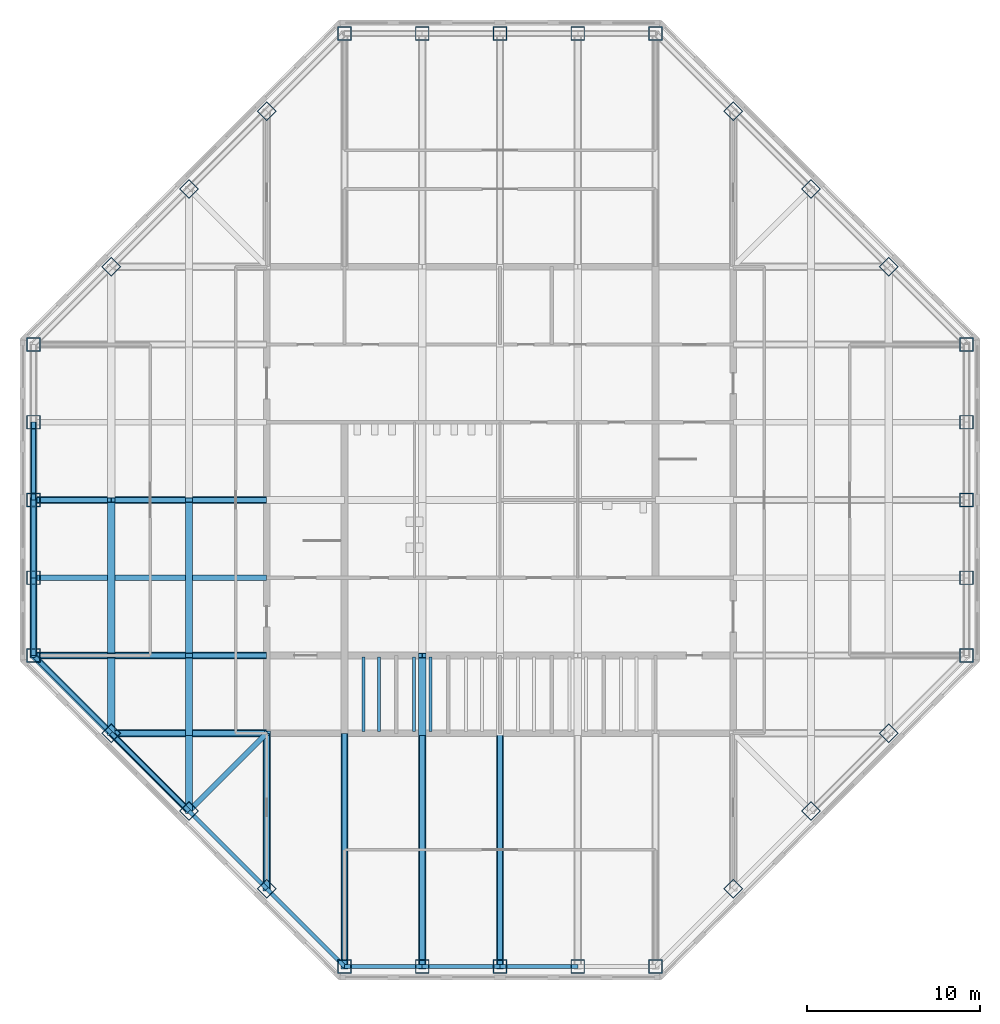
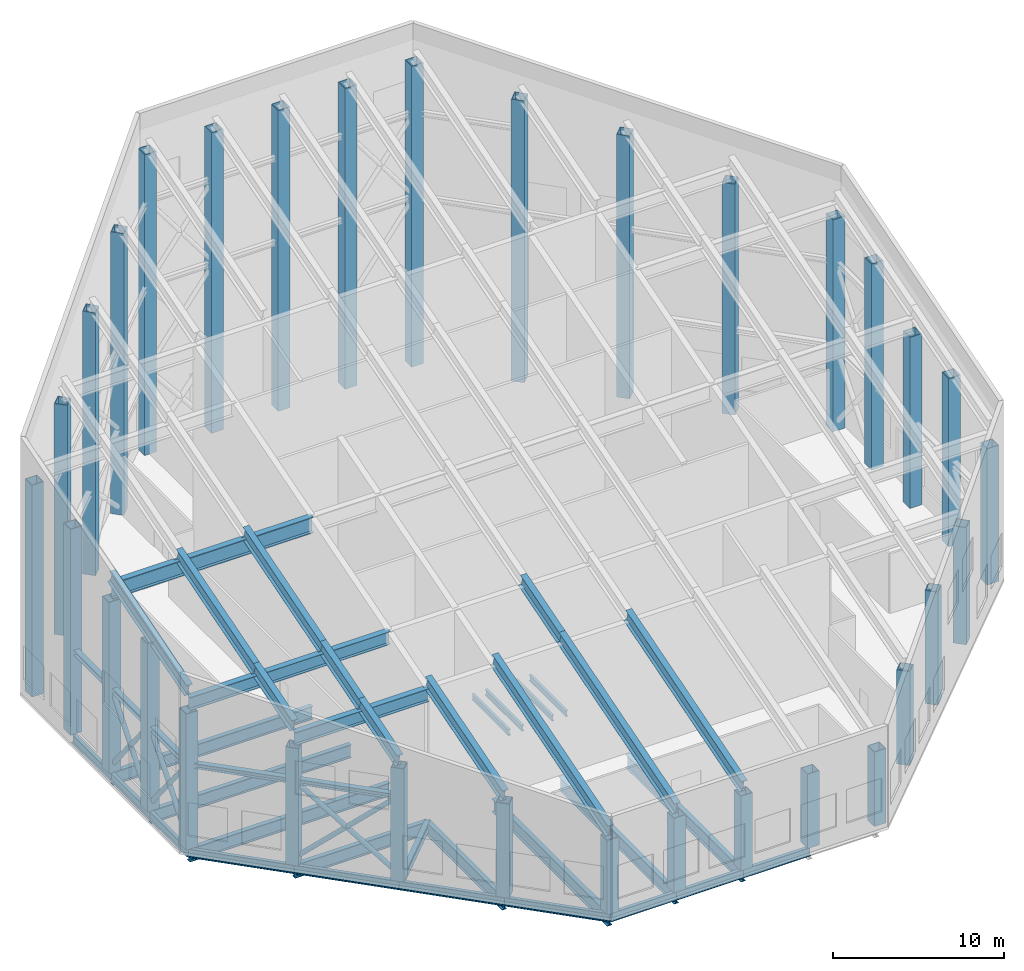
# One storey, part 1 of 10: 42 beams, 32 columns, 6 members.
"""IFC4 building model written with IfcOpenShell, lengths in metres."""

from ifc_helpers import new_model, si_unit, direction, frame, origin, origin_2d, place, context, subcontext, project, spatial, hollow_rectangle, hollow_circle, i_section, extrude, material, material_profile, profile_set, type_object, element, save


model = new_model("IFC4")

# Units and contexts
model_context = context("Model", 3, precision=1e-05, world=origin(), true_north=direction((0.0, 1.0)))
body_context = subcontext(model_context, "Body", "Model", "MODEL_VIEW")
ifc_project = project(units=[si_unit("LENGTHUNIT", "METRE"), si_unit("AREAUNIT", "SQUARE_METRE"), si_unit("VOLUMEUNIT", "CUBIC_METRE"), si_unit("PLANEANGLEUNIT", "RADIAN"), si_unit("MASSUNIT", "GRAM", prefix="KILO")], contexts=[model_context])

# Site, building, storey
site_placement = place(None, origin())
site = spatial("IfcSite", under=ifc_project, at=site_placement, CompositionType="ELEMENT")
building_placement = place(site_placement, origin())
building = spatial("IfcBuilding", under=site, at=building_placement, Name="Corais Broadcast Tower", CompositionType="ELEMENT")
storey_placement = place(building_placement, frame((0.0, 0.0, 320.10009765625)))
storey = spatial("IfcBuildingStorey", under=building, at=storey_placement, Name="L75", CompositionType="ELEMENT", Elevation=320.10009765625)

# Columns
ifc_material_1 = material(Name="Steel ASTM A572 Grade 50", Category="steel")
ifc_material_profile_1 = material_profile(ifc_material_1, hollow_rectangle(XDim=0.800048828125, YDim=0.800048828125, WallThickness=0.044921875, at=origin_2d()), Name="BOX 800x800x45")
ifc_profile_set_1 = profile_set([ifc_material_profile_1], Name="Steel ASTM A572 Grade 50")
column_type = type_object("IfcColumnType", Name="Column BOX 800x800x45", PredefinedType="COLUMN", material=ifc_profile_set_1)
for number, where, z_axis, x_axis, name in (
    (1, (18.0, 0.0, 0.0), (0.0, 0.0, 1.0), (1.0, 0.0, 0.0), "C3 A/7"),
    (2, (22.5, 0.0, 0.0), (0.0, 0.0, 1.0), (1.0, 0.0, 0.0), "C3 A/8"),
    (3, (27.0, 0.0, 0.0), (0.0, 0.0, 1.0), (1.0, 0.0, 0.0), "C3 A/9"),
    (4, (31.5, 0.0, 0.0), (0.0, 0.0, 1.0), (1.0, 0.0, 0.0), "C3 A/10"),
    (5, (36.0, 0.0, 0.0), (0.0, 0.0, 1.0), (1.0, 0.0, 0.0), "C3 A/11"),
):
    element("IfcColumn", number, at=place(storey_placement, frame(where, z_axis=z_axis, x_axis=x_axis)), inside=storey, type_object=column_type, Name=name, PredefinedType="COLUMN", context=body_context, shape_type="SweptSolid", body=[
        extrude(hollow_rectangle(XDim=0.800048828125, YDim=0.800048828125, WallThickness=0.044921875, at=origin_2d()), origin(), (0.0, 0.0, 1.0), 5.30712890625),
    ])
column_1_placement = place(storey_placement, frame((54.0, 18.0, 0.0), z_axis=(0.0, 0.0, 1.0), x_axis=(1.0, 0.0, 0.0)))
element("IfcColumn", 6, at=column_1_placement, inside=storey, type_object=column_type, Name="C3 E/15", PredefinedType="COLUMN", context=body_context, shape_type="SweptSolid", body=[
    extrude(hollow_rectangle(XDim=0.800048828125, YDim=0.800048828125, WallThickness=0.044921875, at=origin_2d()), origin(), (0.0, 0.0, 1.0), 9.699951171875),
])
column_2_placement = place(storey_placement, frame((54.0, 22.5, 0.0), z_axis=(0.0, 0.0, 1.0), x_axis=(1.0, 0.0, 0.0)))
element("IfcColumn", 7, at=column_2_placement, inside=storey, type_object=column_type, Name="C3 F/15", PredefinedType="COLUMN", context=body_context, shape_type="SweptSolid", body=[
    extrude(hollow_rectangle(XDim=0.800048828125, YDim=0.800048828125, WallThickness=0.044921875, at=origin_2d()), origin(), (0.0, 0.0, 1.0), 11.97705078125),
])
column_3_placement = place(storey_placement, frame((54.0, 27.0, 0.0), z_axis=(0.0, 0.0, 1.0), x_axis=(1.0, 0.0, 0.0)))
element("IfcColumn", 8, at=column_3_placement, inside=storey, type_object=column_type, Name="C3 G/15", PredefinedType="COLUMN", context=body_context, shape_type="SweptSolid", body=[
    extrude(hollow_rectangle(XDim=0.800048828125, YDim=0.800048828125, WallThickness=0.044921875, at=origin_2d()), origin(), (0.0, 0.0, 1.0), 12.18896484375),
])
column_4_placement = place(storey_placement, frame((54.0, 31.5, 0.0), z_axis=(0.0, 0.0, 1.0), x_axis=(1.0, 0.0, 0.0)))
element("IfcColumn", 9, at=column_4_placement, inside=storey, type_object=column_type, Name="C3 H/15", PredefinedType="COLUMN", context=body_context, shape_type="SweptSolid", body=[
    extrude(hollow_rectangle(XDim=0.800048828125, YDim=0.800048828125, WallThickness=0.044921875, at=origin_2d()), origin(), (0.0, 0.0, 1.0), 14.677001953125),
])
column_5_placement = place(storey_placement, frame((54.0, 36.0, 0.0), z_axis=(0.0, 0.0, 1.0), x_axis=(1.0, 0.0, 0.0)))
element("IfcColumn", 10, at=column_5_placement, inside=storey, type_object=column_type, Name="C3 J/15", PredefinedType="COLUMN", context=body_context, shape_type="SweptSolid", body=[
    extrude(hollow_rectangle(XDim=0.800048828125, YDim=0.800048828125, WallThickness=0.044921875, at=origin_2d()), origin(), (0.0, 0.0, 1.0), 15.10009765625),
])
for number, where, z_axis, x_axis, name in (
    (11, (36.0, 54.0, 0.0), (0.0, 0.0, 1.0), (1.0, 0.0, 0.0), "C3 N/11"),
    (12, (31.5, 54.0, 0.0), (0.0, 0.0, 1.0), (1.0, 0.0, 0.0), "C3 N/10"),
    (13, (27.0, 54.0, 0.0), (0.0, 0.0, 1.0), (1.0, 0.0, 0.0), "C3 N/9"),
    (14, (22.5, 54.0, 0.0), (0.0, 0.0, 1.0), (1.0, 0.0, 0.0), "C3 N/8"),
    (15, (18.0, 54.0, 0.0), (0.0, 0.0, 1.0), (1.0, 0.0, 0.0), "C3 N/7"),
):
    element("IfcColumn", number, at=place(storey_placement, frame(where, z_axis=z_axis, x_axis=x_axis)), inside=storey, type_object=column_type, Name=name, PredefinedType="COLUMN", context=body_context, shape_type="SweptSolid", body=[
        extrude(hollow_rectangle(XDim=0.800048828125, YDim=0.800048828125, WallThickness=0.044921875, at=origin_2d()), origin(), (0.0, 0.0, 1.0), 21.427001953125),
    ])
column_6_placement = place(storey_placement, frame((0.0, 36.0, 0.0), z_axis=(0.0, 0.0, 1.0), x_axis=(1.0, 0.0, 0.0)))
element("IfcColumn", 16, at=column_6_placement, inside=storey, type_object=column_type, Name="C3 J/3", PredefinedType="COLUMN", context=body_context, shape_type="SweptSolid", body=[
    extrude(hollow_rectangle(XDim=0.800048828125, YDim=0.800048828125, WallThickness=0.044921875, at=origin_2d()), origin(), (0.0, 0.0, 1.0), 15.10009765625),
])
column_7_placement = place(storey_placement, frame((0.0, 31.5, 0.0), z_axis=(0.0, 0.0, 1.0), x_axis=(1.0, 0.0, 0.0)))
element("IfcColumn", 17, at=column_7_placement, inside=storey, type_object=column_type, Name="C3 H/3", PredefinedType="COLUMN", context=body_context, shape_type="SweptSolid", body=[
    extrude(hollow_rectangle(XDim=0.800048828125, YDim=0.800048828125, WallThickness=0.044921875, at=origin_2d()), origin(), (0.0, 0.0, 1.0), 14.677001953125),
])
column_8_placement = place(storey_placement, frame((0.0, 27.0, 0.0), z_axis=(0.0, 0.0, 1.0), x_axis=(1.0, 0.0, 0.0)))
element("IfcColumn", 18, at=column_8_placement, inside=storey, type_object=column_type, Name="C3 G/3", PredefinedType="COLUMN", context=body_context, shape_type="SweptSolid", body=[
    extrude(hollow_rectangle(XDim=0.800048828125, YDim=0.800048828125, WallThickness=0.044921875, at=origin_2d()), origin(), (0.0, 0.0, 1.0), 12.18896484375),
])
column_9_placement = place(storey_placement, frame((0.0, 22.5, 0.0), z_axis=(0.0, 0.0, 1.0), x_axis=(1.0, 0.0, 0.0)))
element("IfcColumn", 19, at=column_9_placement, inside=storey, type_object=column_type, Name="C3 F/3", PredefinedType="COLUMN", context=body_context, shape_type="SweptSolid", body=[
    extrude(hollow_rectangle(XDim=0.800048828125, YDim=0.800048828125, WallThickness=0.044921875, at=origin_2d()), origin(), (0.0, 0.0, 1.0), 11.97705078125),
])
column_10_placement = place(storey_placement, frame((0.0, 18.0, 0.0), z_axis=(0.0, 0.0, 1.0), x_axis=(1.0, 0.0, 0.0)))
element("IfcColumn", 20, at=column_10_placement, inside=storey, type_object=column_type, Name="C3 E/3", PredefinedType="COLUMN", context=body_context, shape_type="SweptSolid", body=[
    extrude(hollow_rectangle(XDim=0.800048828125, YDim=0.800048828125, WallThickness=0.044921875, at=origin_2d()), origin(), (0.0, 0.0, 1.0), 9.699951171875),
])
column_11_placement = place(storey_placement, frame((13.5, 4.5, 0.0), z_axis=(0.0, 0.0, 1.0), x_axis=(0.707106781187, 0.707106781187, 0.0)))
element("IfcColumn", 21, at=column_11_placement, inside=storey, type_object=column_type, Name="C3 B/6", PredefinedType="COLUMN", context=body_context, shape_type="SweptSolid", body=[
    extrude(hollow_rectangle(XDim=0.800048828125, YDim=0.800048828125, WallThickness=0.044921875, at=origin_2d()), origin(), (0.0, 0.0, 1.0), 6.706787109375),
])
column_12_placement = place(storey_placement, frame((9.0, 9.0, 0.0), z_axis=(0.0, 0.0, 1.0), x_axis=(0.707106781187, 0.707106781187, 0.0)))
element("IfcColumn", 22, at=column_12_placement, inside=storey, type_object=column_type, Name="C3 C/5", PredefinedType="COLUMN", context=body_context, shape_type="SweptSolid", body=[
    extrude(hollow_rectangle(XDim=0.800048828125, YDim=0.800048828125, WallThickness=0.044921875, at=origin_2d()), origin(), (0.0, 0.0, 1.0), 8.056884765625),
])
column_13_placement = place(storey_placement, frame((4.5, 13.5, 0.0), z_axis=(0.0, 0.0, 1.0), x_axis=(0.707106781187, 0.707106781187, 0.0)))
element("IfcColumn", 23, at=column_13_placement, inside=storey, type_object=column_type, Name="C3 D/4", PredefinedType="COLUMN", context=body_context, shape_type="SweptSolid", body=[
    extrude(hollow_rectangle(XDim=0.800048828125, YDim=0.800048828125, WallThickness=0.044921875, at=origin_2d()), origin(), (0.0, 0.0, 1.0), 8.35009765625),
])
column_14_placement = place(storey_placement, frame((40.5, 4.5, 0.0), z_axis=(0.0, 0.0, 1.0), x_axis=(0.707106781187, 0.707106781187, 0.0)))
element("IfcColumn", 24, at=column_14_placement, inside=storey, type_object=column_type, Name="C3 B/12", PredefinedType="COLUMN", context=body_context, shape_type="SweptSolid", body=[
    extrude(hollow_rectangle(XDim=0.800048828125, YDim=0.800048828125, WallThickness=0.044921875, at=origin_2d()), origin(), (0.0, 0.0, 1.0), 6.706787109375),
])
column_15_placement = place(storey_placement, frame((45.0, 9.0, 0.0), z_axis=(0.0, 0.0, 1.0), x_axis=(0.707106781187, 0.707106781187, 0.0)))
element("IfcColumn", 25, at=column_15_placement, inside=storey, type_object=column_type, Name="C3 C/13", PredefinedType="COLUMN", context=body_context, shape_type="SweptSolid", body=[
    extrude(hollow_rectangle(XDim=0.800048828125, YDim=0.800048828125, WallThickness=0.044921875, at=origin_2d()), origin(), (0.0, 0.0, 1.0), 8.056884765625),
])
column_16_placement = place(storey_placement, frame((49.5, 13.5, 0.0), z_axis=(0.0, 0.0, 1.0), x_axis=(0.707106781187, 0.707106781187, 0.0)))
element("IfcColumn", 26, at=column_16_placement, inside=storey, type_object=column_type, Name="C3 D/14", PredefinedType="COLUMN", context=body_context, shape_type="SweptSolid", body=[
    extrude(hollow_rectangle(XDim=0.800048828125, YDim=0.800048828125, WallThickness=0.044921875, at=origin_2d()), origin(), (0.0, 0.0, 1.0), 8.35009765625),
])
column_17_placement = place(storey_placement, frame((49.5, 40.5, 0.0), z_axis=(0.0, 0.0, 1.0), x_axis=(0.707106781187, 0.707106781187, 0.0)))
element("IfcColumn", 27, at=column_17_placement, inside=storey, type_object=column_type, Name="C3 K/14", PredefinedType="COLUMN", context=body_context, shape_type="SweptSolid", body=[
    extrude(hollow_rectangle(XDim=0.800048828125, YDim=0.800048828125, WallThickness=0.044921875, at=origin_2d()), origin(), (0.0, 0.0, 1.0), 16.449951171875),
])
column_18_placement = place(storey_placement, frame((45.0, 45.0, 0.0), z_axis=(0.0, 0.0, 1.0), x_axis=(0.707106781187, 0.707106781187, 0.0)))
element("IfcColumn", 28, at=column_18_placement, inside=storey, type_object=column_type, Name="C3 L/13", PredefinedType="COLUMN", context=body_context, shape_type="SweptSolid", body=[
    extrude(hollow_rectangle(XDim=0.800048828125, YDim=0.800048828125, WallThickness=0.044921875, at=origin_2d()), origin(), (0.0, 0.0, 1.0), 18.72705078125),
])
column_19_placement = place(storey_placement, frame((40.5, 49.5, 0.0), z_axis=(0.0, 0.0, 1.0), x_axis=(0.707106781187, 0.707106781187, 0.0)))
element("IfcColumn", 29, at=column_19_placement, inside=storey, type_object=column_type, Name="C3 M/12", PredefinedType="COLUMN", context=body_context, shape_type="SweptSolid", body=[
    extrude(hollow_rectangle(XDim=0.800048828125, YDim=0.800048828125, WallThickness=0.044921875, at=origin_2d()), origin(), (0.0, 0.0, 1.0), 20.0771484375),
])
column_20_placement = place(storey_placement, frame((4.5, 40.5, 0.0), z_axis=(0.0, 0.0, 1.0), x_axis=(0.707106781187, 0.707106781187, 0.0)))
element("IfcColumn", 30, at=column_20_placement, inside=storey, type_object=column_type, Name="C3 K/4", PredefinedType="COLUMN", context=body_context, shape_type="SweptSolid", body=[
    extrude(hollow_rectangle(XDim=0.800048828125, YDim=0.800048828125, WallThickness=0.044921875, at=origin_2d()), origin(), (0.0, 0.0, 1.0), 16.449951171875),
])
column_21_placement = place(storey_placement, frame((9.0, 45.0, 0.0), z_axis=(0.0, 0.0, 1.0), x_axis=(0.707106781187, 0.707106781187, 0.0)))
element("IfcColumn", 31, at=column_21_placement, inside=storey, type_object=column_type, Name="C3 L/5", PredefinedType="COLUMN", context=body_context, shape_type="SweptSolid", body=[
    extrude(hollow_rectangle(XDim=0.800048828125, YDim=0.800048828125, WallThickness=0.044921875, at=origin_2d()), origin(), (0.0, 0.0, 1.0), 18.72705078125),
])
column_22_placement = place(storey_placement, frame((13.5, 49.5, 0.0), z_axis=(0.0, 0.0, 1.0), x_axis=(0.707106781187, 0.707106781187, 0.0)))
element("IfcColumn", 32, at=column_22_placement, inside=storey, type_object=column_type, Name="C3 M/6", PredefinedType="COLUMN", context=body_context, shape_type="SweptSolid", body=[
    extrude(hollow_rectangle(XDim=0.800048828125, YDim=0.800048828125, WallThickness=0.044921875, at=origin_2d()), origin(), (0.0, 0.0, 1.0), 20.0771484375),
])

# Beam
ifc_material_2 = material(Name="Steel ASTM A572 Grade 50", Category="steel")
ifc_material_profile_2 = material_profile(ifc_material_2, i_section(OverallWidth=0.323974609375, OverallDepth=0.611083984375, WebThickness=0.0126953125, FlangeThickness=0.01904296875, at=origin_2d()), Name="W610x155")
ifc_profile_set_2 = profile_set([ifc_material_profile_2], Name="Steel ASTM A572 Grade 50")
beam_type_1 = type_object("IfcBeamType", Name="Corner diagonal W610x155", PredefinedType="BEAM", material=ifc_profile_set_2)
beam_1_placement = place(storey_placement, frame((9.0, 9.0, -0.505615234375), z_axis=(0.707106781187, 0.707106781187, 0.0), x_axis=(-0.707106781187, 0.707106781187, 0.0)))
element("IfcBeam", 33, at=beam_1_placement, inside=storey, type_object=beam_type_1, Name="B6 C/5 to D/6", PredefinedType="BEAM", context=body_context, shape_type="SweptSolid", body=[
    extrude(i_section(OverallWidth=0.323974609375, OverallDepth=0.611083984375, WebThickness=0.0126953125, FlangeThickness=0.01904296875, at=origin_2d()), origin(), (0.0, 0.0, 1.0), 6.364013671875),
])

# Members
ifc_material_3 = material(Name="Steel S355J2H", Category="steel")
ifc_material_profile_3 = material_profile(ifc_material_3, hollow_circle(Radius=0.161865234375, WallThickness=0.012451171875, at=origin_2d()), Name="CHS 323.9x12.5")
ifc_profile_set_3 = profile_set([ifc_material_profile_3], Name="Steel S355J2H")
member_type = type_object("IfcMemberType", Name="Crown brace CHS 323.9x12.5", PredefinedType="BRACE", material=ifc_profile_set_3)
for number, where, z_axis, x_axis, name in (
    (34, (4.5, 13.5, 0.25), (0.532004755662, -0.532004755662, 0.658742650742), (0.707106781187, 0.707106781187, 0.0), "CB1 crown brace D/4"),
    (35, (9.0, 9.0, 0.25), (-0.532004755662, 0.532004755662, 0.658742650742), (-0.707106781187, -0.707106781187, 0.0), "CB1 crown brace C/5"),
):
    element("IfcMember", number, at=place(storey_placement, frame(where, z_axis=z_axis, x_axis=x_axis)), inside=storey, type_object=member_type, Name=name, PredefinedType="BRACE", context=body_context, shape_type="SweptSolid", body=[
        extrude(hollow_circle(Radius=0.161865234375, WallThickness=0.012451171875, at=origin_2d()), origin(), (0.0, 0.0, 1.0), 8.45849609375),
    ])
for number, where, z_axis, x_axis, name in (
    (36, (0.0, 22.5, 0.25), (0.0, -0.62829664095, 0.777973862652), (1.0, 0.0, 0.0), "CB1 crown brace F/3"),
    (37, (0.0, 18.0, 0.25), (0.0, 0.62829664095, 0.777973862652), (-1.0, 0.0, 0.0), "CB1 crown brace E/3"),
    (38, (0.0, 27.0, 0.25), (0.0, -0.62829664095, 0.777973862652), (1.0, 0.0, 0.0), "CB1 crown brace G/3"),
    (39, (0.0, 22.5, 0.25), (0.0, 0.62829664095, 0.777973862652), (-1.0, 0.0, 0.0), "CB1 crown brace F/3"),
):
    element("IfcMember", number, at=place(storey_placement, frame(where, z_axis=z_axis, x_axis=x_axis)), inside=storey, type_object=member_type, Name=name, PredefinedType="BRACE", context=body_context, shape_type="SweptSolid", body=[
        extrude(hollow_circle(Radius=0.161865234375, WallThickness=0.012451171875, at=origin_2d()), origin(), (0.0, 0.0, 1.0), 7.162109375),
    ])

# Beams
ifc_material_4 = material(Name="Steel ASTM A572 Grade 50", Category="steel")
ifc_material_profile_4 = material_profile(ifc_material_4, i_section(OverallWidth=0.408935546875, OverallDepth=1.137939453125, WebThickness=0.0283203125, FlangeThickness=0.051025390625, at=origin_2d()), Name="W1100x607")
ifc_profile_set_4 = profile_set([ifc_material_profile_4], Name="Steel ASTM A572 Grade 50")
beam_type_2 = type_object("IfcBeamType", Name="Crown girder W1100x607", PredefinedType="BEAM", material=ifc_profile_set_4)
beam_2_placement = place(storey_placement, frame((0.0, 27.0, 12.758056640625), z_axis=(1.0, 0.0, 0.0), x_axis=(0.0, 1.0, 0.0)))
element("IfcBeam", 40, at=beam_2_placement, inside=storey, type_object=beam_type_2, Name="RF2 crown girder G/3", PredefinedType="BEAM", context=body_context, shape_type="SweptSolid", body=[
    extrude(i_section(OverallWidth=0.408935546875, OverallDepth=1.137939453125, WebThickness=0.0283203125, FlangeThickness=0.051025390625, at=origin_2d()), origin(), (0.0, 0.0, 1.0), 13.5),
])
ifc_material_5 = material(Name="Steel ASTM A572 Grade 50", Category="steel")
ifc_material_profile_5 = material_profile(ifc_material_5, i_section(OverallWidth=0.368896484375, OverallDepth=0.35595703125, WebThickness=0.01123046875, FlangeThickness=0.01806640625, at=origin_2d()), Name="W360x134")
ifc_profile_set_5 = profile_set([ifc_material_profile_5], Name="Steel ASTM A572 Grade 50")
beam_type_3 = type_object("IfcBeamType", Name="Crown ring girt W360x134", PredefinedType="BEAM", material=ifc_profile_set_5)
beam_3_placement = place(storey_placement, frame((0.0, 22.5, 5.822021484375), z_axis=(0.0, -1.0, 0.0), x_axis=(1.0, 0.0, 0.0)))
element("IfcBeam", 41, at=beam_3_placement, inside=storey, type_object=beam_type_3, Name="CG1 crown ring girt F/3", PredefinedType="BEAM", context=body_context, shape_type="SweptSolid", body=[
    extrude(i_section(OverallWidth=0.368896484375, OverallDepth=0.35595703125, WebThickness=0.01123046875, FlangeThickness=0.01806640625, at=origin_2d()), origin(), (0.0, 0.0, 1.0), 4.5),
])
for number, where, z_axis, x_axis, name in (
    (42, (0.0, 18.0, 5.822021484375), (0.707106781187, -0.707106781187, 0.0), (0.707106781187, 0.707106781187, 0.0), "CG1 crown ring girt E/3"),
    (43, (4.5, 13.5, 5.822021484375), (0.707106781187, -0.707106781187, 0.0), (0.707106781187, 0.707106781187, 0.0), "CG1 crown ring girt D/4"),
):
    element("IfcBeam", number, at=place(storey_placement, frame(where, z_axis=z_axis, x_axis=x_axis)), inside=storey, type_object=beam_type_3, Name=name, PredefinedType="BEAM", context=body_context, shape_type="SweptSolid", body=[
        extrude(i_section(OverallWidth=0.368896484375, OverallDepth=0.35595703125, WebThickness=0.01123046875, FlangeThickness=0.01806640625, at=origin_2d()), origin(), (0.0, 0.0, 1.0), 6.364013671875),
    ])
for number, where, z_axis, x_axis, name in (
    (44, (0.0, 31.5, 5.822021484375), (0.0, -1.0, 0.0), (1.0, 0.0, 0.0), "CG1 crown ring girt H/3"),
    (45, (0.0, 27.0, 5.822021484375), (0.0, -1.0, 0.0), (1.0, 0.0, 0.0), "CG1 crown ring girt G/3"),
):
    element("IfcBeam", number, at=place(storey_placement, frame(where, z_axis=z_axis, x_axis=x_axis)), inside=storey, type_object=beam_type_3, Name=name, PredefinedType="BEAM", context=body_context, shape_type="SweptSolid", body=[
        extrude(i_section(OverallWidth=0.368896484375, OverallDepth=0.35595703125, WebThickness=0.01123046875, FlangeThickness=0.01806640625, at=origin_2d()), origin(), (0.0, 0.0, 1.0), 4.5),
    ])
ifc_material_6 = material(Name="Steel ASTM A572 Grade 50", Category="steel")
ifc_material_profile_6 = material_profile(ifc_material_6, i_section(OverallWidth=0.177978515625, OverallDepth=0.406982421875, WebThickness=0.0078125, FlangeThickness=0.0126953125, at=origin_2d()), Name="W410x60")
ifc_profile_set_6 = profile_set([ifc_material_profile_6], Name="Steel ASTM A572 Grade 50")
beam_type_4 = type_object("IfcBeamType", Name="Pit beam W410x60", PredefinedType="BEAM", material=ifc_profile_set_6)
for number, where, z_axis, x_axis, name in (
    (46, (19.10009765625, 13.60009765625, 3.996337890625), (0.0, 1.0, 0.0), (-1.0, 0.0, 0.0), "B15 lift pit beam D/7 +1100 +200"),
    (47, (20.0, 13.60009765625, 3.996337890625), (0.0, 1.0, 0.0), (-1.0, 0.0, 0.0), "B15 lift pit beam D/7 +2000 +200"),
    (48, (22.033203125, 13.60009765625, 3.996337890625), (0.0, 1.0, 0.0), (-1.0, 0.0, 0.0), "B15 lift pit beam D/8 -467 +200"),
    (49, (22.966796875, 13.60009765625, 3.996337890625), (0.0, 1.0, 0.0), (-1.0, 0.0, 0.0), "B15 lift pit beam D/8 +467 +200"),
):
    element("IfcBeam", number, at=place(storey_placement, frame(where, z_axis=z_axis, x_axis=x_axis)), inside=storey, type_object=beam_type_4, Name=name, PredefinedType="BEAM", context=body_context, shape_type="SweptSolid", body=[
        extrude(i_section(OverallWidth=0.177978515625, OverallDepth=0.406982421875, WebThickness=0.0078125, FlangeThickness=0.0126953125, at=origin_2d()), origin(), (0.0, 0.0, 1.0), 4.2998046875),
    ])
ifc_material_7 = material(Name="Steel ASTM A572 Grade 50", Category="steel")
ifc_material_profile_7 = material_profile(ifc_material_7, i_section(OverallWidth=0.30908203125, OverallDepth=0.931884765625, WebThickness=0.02099609375, FlangeThickness=0.034423828125, at=origin_2d()), Name="W920x313")
ifc_profile_set_7 = profile_set([ifc_material_profile_7], Name="Steel ASTM A572 Grade 50")
beam_type_5 = type_object("IfcBeamType", Name="Plant floor beam W920x313", PredefinedType="BEAM", material=ifc_profile_set_7)
for number, where, z_axis, x_axis, name in (
    (50, (0.0, 18.0, -0.666015625), (1.0, 0.0, 0.0), (0.0, 1.0, 0.0), "B17 E/3 to E/6"),
    (51, (0.0, 22.5, -0.666015625), (1.0, 0.0, 0.0), (0.0, 1.0, 0.0), "B17 F/3 to F/6"),
    (52, (0.0, 27.0, -0.666015625), (1.0, 0.0, 0.0), (0.0, 1.0, 0.0), "B17 G/3 to G/6"),
):
    element("IfcBeam", number, at=place(storey_placement, frame(where, z_axis=z_axis, x_axis=x_axis)), inside=storey, type_object=beam_type_5, Name=name, PredefinedType="BEAM", context=body_context, shape_type="SweptSolid", body=[
        extrude(i_section(OverallWidth=0.30908203125, OverallDepth=0.931884765625, WebThickness=0.02099609375, FlangeThickness=0.034423828125, at=origin_2d()), origin(), (0.0, 0.0, 1.0), 13.5),
    ])
beam_4_placement = place(storey_placement, frame((13.5, 4.5, -0.666015625), z_axis=(0.0, 1.0, 0.0), x_axis=(-1.0, 0.0, 0.0)))
element("IfcBeam", 53, at=beam_4_placement, inside=storey, type_object=beam_type_5, Name="B17 B/6 to D/6", PredefinedType="BEAM", context=body_context, shape_type="SweptSolid", body=[
    extrude(i_section(OverallWidth=0.30908203125, OverallDepth=0.931884765625, WebThickness=0.02099609375, FlangeThickness=0.034423828125, at=origin_2d()), origin(), (0.0, 0.0, 1.0), 9.0),
])
for number, where, z_axis, x_axis, name in (
    (54, (18.0, 0.0, -0.666015625), (0.0, 1.0, 0.0), (-1.0, 0.0, 0.0), "B17 A/7 to D/7"),
    (55, (22.5, 0.0, -0.666015625), (0.0, 1.0, 0.0), (-1.0, 0.0, 0.0), "B17 A/8 to D/8"),
    (56, (27.0, 0.0, -0.666015625), (0.0, 1.0, 0.0), (-1.0, 0.0, 0.0), "B17 A/9 to D/9"),
):
    element("IfcBeam", number, at=place(storey_placement, frame(where, z_axis=z_axis, x_axis=x_axis)), inside=storey, type_object=beam_type_5, Name=name, PredefinedType="BEAM", context=body_context, shape_type="SweptSolid", body=[
        extrude(i_section(OverallWidth=0.30908203125, OverallDepth=0.931884765625, WebThickness=0.02099609375, FlangeThickness=0.034423828125, at=origin_2d()), origin(), (0.0, 0.0, 1.0), 13.5),
    ])
beam_5_placement = place(storey_placement, frame((4.5, 13.5, -0.666015625), z_axis=(1.0, 0.0, 0.0), x_axis=(0.0, 1.0, 0.0)))
element("IfcBeam", 57, at=beam_5_placement, inside=storey, type_object=beam_type_5, Name="B17 D/4 to D/6", PredefinedType="BEAM", context=body_context, shape_type="SweptSolid", body=[
    extrude(i_section(OverallWidth=0.30908203125, OverallDepth=0.931884765625, WebThickness=0.02099609375, FlangeThickness=0.034423828125, at=origin_2d()), origin(), (0.0, 0.0, 1.0), 9.0),
])
ifc_material_8 = material(Name="Steel ASTM A572 Grade 50", Category="steel")
ifc_material_profile_8 = material_profile(ifc_material_8, i_section(OverallWidth=0.408935546875, OverallDepth=0.927001953125, WebThickness=0.0166015625, FlangeThickness=0.030029296875, at=origin_2d()), Name="W920x289")
ifc_profile_set_8 = profile_set([ifc_material_profile_8], Name="Steel ASTM A572 Grade 50")
beam_type_6 = type_object("IfcBeamType", Name="Rafter W920x289", PredefinedType="BEAM", material=ifc_profile_set_8)
beam_6_placement = place(storey_placement, frame((4.5, 13.5, 8.8134765625), z_axis=(1.0, 0.0, 0.0), x_axis=(0.0, 1.0, 0.0)))
element("IfcBeam", 58, at=beam_6_placement, inside=storey, type_object=beam_type_6, Name="RF1 crown girder D/4", PredefinedType="BEAM", context=body_context, shape_type="SweptSolid", body=[
    extrude(i_section(OverallWidth=0.408935546875, OverallDepth=0.927001953125, WebThickness=0.0166015625, FlangeThickness=0.030029296875, at=origin_2d()), origin(), (0.0, 0.0, 1.0), 9.0),
])
beam_7_placement = place(storey_placement, frame((0.0, 18.0, 10.16357421875), z_axis=(1.0, 0.0, 0.0), x_axis=(0.0, 1.0, 0.0)))
element("IfcBeam", 59, at=beam_7_placement, inside=storey, type_object=beam_type_6, Name="RF1 crown girder E/3", PredefinedType="BEAM", context=body_context, shape_type="SweptSolid", body=[
    extrude(i_section(OverallWidth=0.408935546875, OverallDepth=0.927001953125, WebThickness=0.0166015625, FlangeThickness=0.030029296875, at=origin_2d()), origin(), (0.0, 0.0, 1.0), 13.5),
])
beam_8_placement = place(storey_placement, frame((0.0, 18.0, 11.06591796875), z_axis=(0.0, 0.957820564104, 0.287366955268), x_axis=(-1.0, 0.0, 0.0)))
element("IfcBeam", 60, at=beam_8_placement, inside=storey, type_object=beam_type_6, Name="RF1 rafter E/3", PredefinedType="BEAM", context=body_context, shape_type="SweptSolid", body=[
    extrude(i_section(OverallWidth=0.408935546875, OverallDepth=0.927001953125, WebThickness=0.0166015625, FlangeThickness=0.030029296875, at=origin_2d()), origin(), (0.0, 0.0, 1.0), 9.396240234375),
])
beam_9_placement = place(storey_placement, frame((4.5, 13.5, 9.716064453125), z_axis=(0.0, 0.957834866313, 0.287319280374), x_axis=(-1.0, 0.0, 0.0)))
element("IfcBeam", 61, at=beam_9_placement, inside=storey, type_object=beam_type_6, Name="RF1 rafter D/4", PredefinedType="BEAM", context=body_context, shape_type="SweptSolid", body=[
    extrude(i_section(OverallWidth=0.408935546875, OverallDepth=0.927001953125, WebThickness=0.0166015625, FlangeThickness=0.030029296875, at=origin_2d()), origin(), (0.0, 0.0, 1.0), 4.697998046875),
])
beam_10_placement = place(storey_placement, frame((4.5, 18.0, 11.06591796875), z_axis=(0.0, 0.957820564104, 0.287366955268), x_axis=(-1.0, 0.0, 0.0)))
element("IfcBeam", 62, at=beam_10_placement, inside=storey, type_object=beam_type_6, Name="RF1 rafter E/4", PredefinedType="BEAM", context=body_context, shape_type="SweptSolid", body=[
    extrude(i_section(OverallWidth=0.408935546875, OverallDepth=0.927001953125, WebThickness=0.0166015625, FlangeThickness=0.030029296875, at=origin_2d()), origin(), (0.0, 0.0, 1.0), 9.396240234375),
])
beam_11_placement = place(storey_placement, frame((9.0, 9.0, 8.365966796875), z_axis=(0.0, 0.957820564104, 0.287366955268), x_axis=(-1.0, 0.0, 0.0)))
element("IfcBeam", 63, at=beam_11_placement, inside=storey, type_object=beam_type_6, Name="RF1 rafter C/5", PredefinedType="BEAM", context=body_context, shape_type="SweptSolid", body=[
    extrude(i_section(OverallWidth=0.408935546875, OverallDepth=0.927001953125, WebThickness=0.0166015625, FlangeThickness=0.030029296875, at=origin_2d()), origin(), (0.0, 0.0, 1.0), 4.6982421875),
])
beam_12_placement = place(storey_placement, frame((9.0, 13.5, 9.716064453125), z_axis=(0.0, 0.957834866313, 0.287319280374), x_axis=(-1.0, 0.0, 0.0)))
element("IfcBeam", 64, at=beam_12_placement, inside=storey, type_object=beam_type_6, Name="RF1 rafter D/5", PredefinedType="BEAM", context=body_context, shape_type="SweptSolid", body=[
    extrude(i_section(OverallWidth=0.408935546875, OverallDepth=0.927001953125, WebThickness=0.0166015625, FlangeThickness=0.030029296875, at=origin_2d()), origin(), (0.0, 0.0, 1.0), 4.697998046875),
])
for number, where, z_axis, x_axis, name in (
    (65, (9.0, 18.0, 11.06591796875), (0.0, 0.957820564104, 0.287366955268), (-1.0, 0.0, 0.0), "RF1 rafter E/5"),
    (66, (13.5, 4.5, 7.01611328125), (0.0, 0.957827715452, 0.287343118088), (-1.0, 0.0, 0.0), "RF1 rafter B/6"),
):
    element("IfcBeam", number, at=place(storey_placement, frame(where, z_axis=z_axis, x_axis=x_axis)), inside=storey, type_object=beam_type_6, Name=name, PredefinedType="BEAM", context=body_context, shape_type="SweptSolid", body=[
        extrude(i_section(OverallWidth=0.408935546875, OverallDepth=0.927001953125, WebThickness=0.0166015625, FlangeThickness=0.030029296875, at=origin_2d()), origin(), (0.0, 0.0, 1.0), 9.396240234375),
    ])
for number, where, z_axis, x_axis, name in (
    (67, (18.0, 0.0, 5.666015625), (0.0, 0.957825331723, 0.287351063874), (-1.0, 0.0, 0.0), "RF1 rafter A/7"),
    (68, (22.5, 0.0, 5.666015625), (0.0, 0.957825331723, 0.287351063874), (-1.0, 0.0, 0.0), "RF1 rafter A/8"),
):
    element("IfcBeam", number, at=place(storey_placement, frame(where, z_axis=z_axis, x_axis=x_axis)), inside=storey, type_object=beam_type_6, Name=name, PredefinedType="BEAM", context=body_context, shape_type="SweptSolid", body=[
        extrude(i_section(OverallWidth=0.408935546875, OverallDepth=0.927001953125, WebThickness=0.0166015625, FlangeThickness=0.030029296875, at=origin_2d()), origin(), (0.0, 0.0, 1.0), 14.094482421875),
    ])
beam_13_placement = place(storey_placement, frame((22.5, 13.5, 9.716064453125), z_axis=(0.0, 0.957834866313, 0.287319280374), x_axis=(-1.0, 0.0, 0.0)))
element("IfcBeam", 69, at=beam_13_placement, inside=storey, type_object=beam_type_6, Name="RF1 rafter D/8", PredefinedType="BEAM", context=body_context, shape_type="SweptSolid", body=[
    extrude(i_section(OverallWidth=0.408935546875, OverallDepth=0.927001953125, WebThickness=0.0166015625, FlangeThickness=0.030029296875, at=origin_2d()), origin(), (0.0, 0.0, 1.0), 4.697998046875),
])
beam_14_placement = place(storey_placement, frame((27.0, 0.0, 5.666015625), z_axis=(0.0, 0.957825331723, 0.287351063874), x_axis=(-1.0, 0.0, 0.0)))
element("IfcBeam", 70, at=beam_14_placement, inside=storey, type_object=beam_type_6, Name="RF1 rafter A/9", PredefinedType="BEAM", context=body_context, shape_type="SweptSolid", body=[
    extrude(i_section(OverallWidth=0.408935546875, OverallDepth=0.927001953125, WebThickness=0.0166015625, FlangeThickness=0.030029296875, at=origin_2d()), origin(), (0.0, 0.0, 1.0), 14.094482421875),
])
ifc_material_9 = material(Name="Steel ASTM A572 Grade 50", Category="steel")
ifc_material_profile_9 = material_profile(ifc_material_9, i_section(OverallWidth=0.22998046875, OverallDepth=0.616943359375, WebThickness=0.01318359375, FlangeThickness=0.022216796875, at=origin_2d()), Name="W610x140")
ifc_profile_set_9 = profile_set([ifc_material_profile_9], Name="Steel ASTM A572 Grade 50")
beam_type_7 = type_object("IfcBeamType", Name="Spandrel W610x140", PredefinedType="BEAM", material=ifc_profile_set_9)
beam_15_placement = place(storey_placement, frame((0.0, 18.0, -0.508544921875), z_axis=(0.707106781187, -0.707106781187, 0.0), x_axis=(0.707106781187, 0.707106781187, 0.0)))
element("IfcBeam", 71, at=beam_15_placement, inside=storey, type_object=beam_type_7, Name="SB3 E/3 to D/4", PredefinedType="BEAM", context=body_context, shape_type="SweptSolid", body=[
    extrude(i_section(OverallWidth=0.22998046875, OverallDepth=0.616943359375, WebThickness=0.01318359375, FlangeThickness=0.022216796875, at=origin_2d()), origin(), (0.0, 0.0, 1.0), 6.364013671875),
])
for number, where, z_axis, x_axis, name in (
    (72, (0.0, 22.5, -0.508544921875), (0.0, -1.0, 0.0), (1.0, 0.0, 0.0), "SB3 F/3 to E/3"),
    (73, (0.0, 27.0, -0.508544921875), (0.0, -1.0, 0.0), (1.0, 0.0, 0.0), "SB3 G/3 to F/3"),
    (74, (0.0, 31.5, -0.508544921875), (0.0, -1.0, 0.0), (1.0, 0.0, 0.0), "SB3 H/3 to G/3"),
):
    element("IfcBeam", number, at=place(storey_placement, frame(where, z_axis=z_axis, x_axis=x_axis)), inside=storey, type_object=beam_type_7, Name=name, PredefinedType="BEAM", context=body_context, shape_type="SweptSolid", body=[
        extrude(i_section(OverallWidth=0.22998046875, OverallDepth=0.616943359375, WebThickness=0.01318359375, FlangeThickness=0.022216796875, at=origin_2d()), origin(), (0.0, 0.0, 1.0), 4.5),
    ])
beam_16_placement = place(storey_placement, frame((13.5, 4.5, -0.508544921875), z_axis=(0.707106781187, -0.707106781187, 0.0), x_axis=(0.707106781187, 0.707106781187, 0.0)))
element("IfcBeam", 75, at=beam_16_placement, inside=storey, type_object=beam_type_7, Name="SB3 B/6 to A/7", PredefinedType="BEAM", context=body_context, shape_type="SweptSolid", body=[
    extrude(i_section(OverallWidth=0.22998046875, OverallDepth=0.616943359375, WebThickness=0.01318359375, FlangeThickness=0.022216796875, at=origin_2d()), origin(), (0.0, 0.0, 1.0), 6.364013671875),
])
for number, where, z_axis, x_axis, name in (
    (76, (18.0, 0.0, -0.508544921875), (1.0, 0.0, 0.0), (0.0, 1.0, 0.0), "SB3 A/7 to A/8"),
    (77, (22.5, 0.0, -0.508544921875), (1.0, 0.0, 0.0), (0.0, 1.0, 0.0), "SB3 A/8 to A/9"),
    (78, (27.0, 0.0, -0.508544921875), (1.0, 0.0, 0.0), (0.0, 1.0, 0.0), "SB3 A/9 to A/10"),
):
    element("IfcBeam", number, at=place(storey_placement, frame(where, z_axis=z_axis, x_axis=x_axis)), inside=storey, type_object=beam_type_7, Name=name, PredefinedType="BEAM", context=body_context, shape_type="SweptSolid", body=[
        extrude(i_section(OverallWidth=0.22998046875, OverallDepth=0.616943359375, WebThickness=0.01318359375, FlangeThickness=0.022216796875, at=origin_2d()), origin(), (0.0, 0.0, 1.0), 4.5),
    ])
for number, where, z_axis, x_axis, name in (
    (79, (4.5, 13.5, -0.508544921875), (0.707106781187, -0.707106781187, 0.0), (0.707106781187, 0.707106781187, 0.0), "SB3 D/4 to C/5"),
    (80, (9.0, 9.0, -0.508544921875), (0.707106781187, -0.707106781187, 0.0), (0.707106781187, 0.707106781187, 0.0), "SB3 C/5 to B/6"),
):
    element("IfcBeam", number, at=place(storey_placement, frame(where, z_axis=z_axis, x_axis=x_axis)), inside=storey, type_object=beam_type_7, Name=name, PredefinedType="BEAM", context=body_context, shape_type="SweptSolid", body=[
        extrude(i_section(OverallWidth=0.22998046875, OverallDepth=0.616943359375, WebThickness=0.01318359375, FlangeThickness=0.022216796875, at=origin_2d()), origin(), (0.0, 0.0, 1.0), 6.364013671875),
    ])

save(model, "model.ifc")
